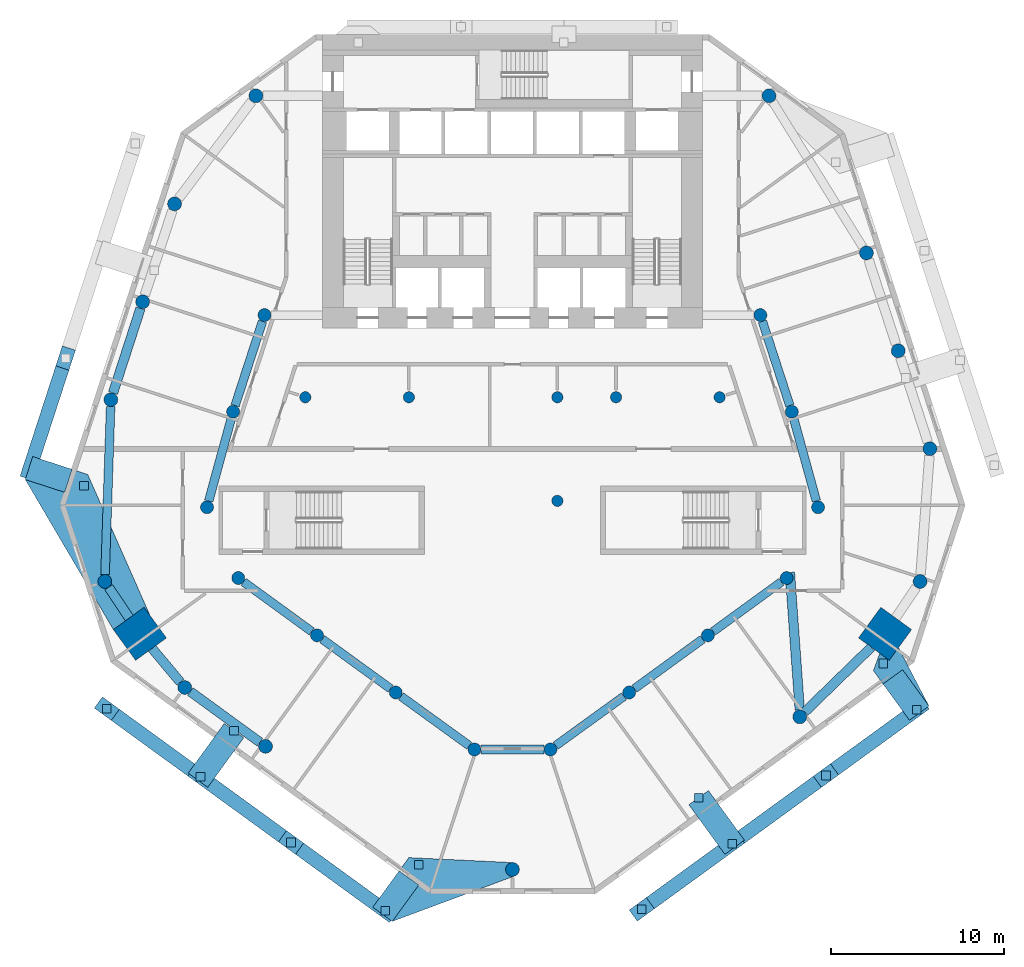
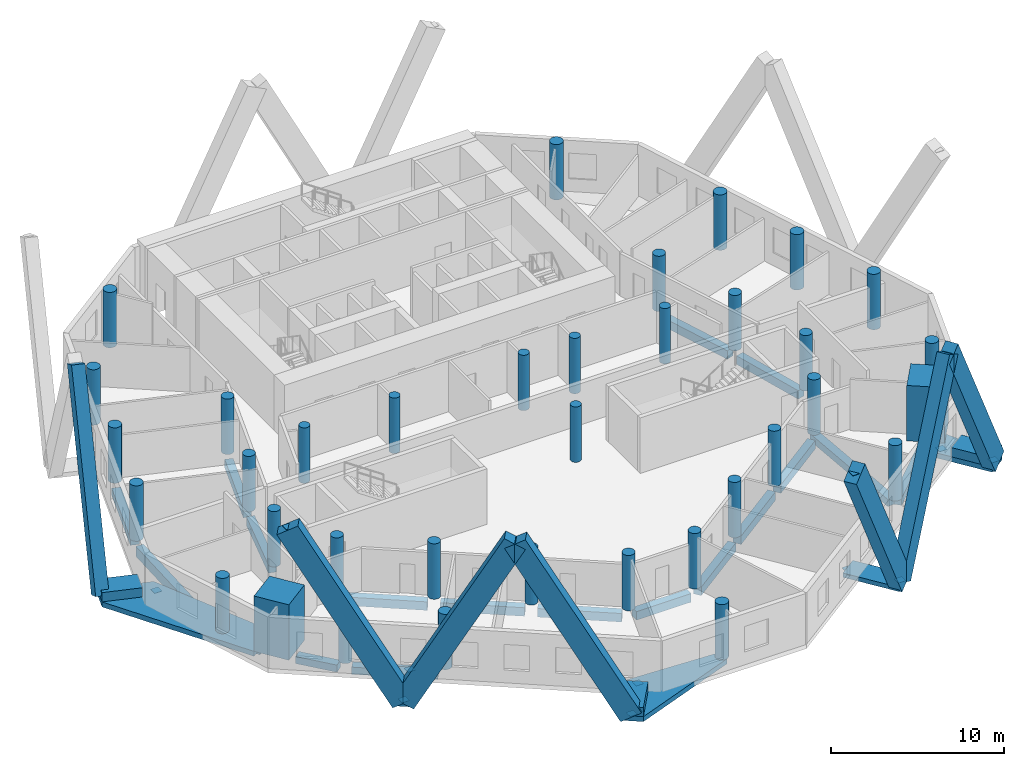
# One storey, part 1 of 10: 36 columns, 18 beams, 15 members, 13 discrete accessories.
"""IFC4 building model written with IfcOpenShell, lengths in metres."""

from ifc_helpers import new_model, si_unit, direction, frame, origin, origin_2d, place, context, subcontext, project, spatial, polyline, rectangle, circle, outline, extrude, material, layer, layer_set, material_profile, profile_set, type_object, element, aggregate, save


model = new_model("IFC4")

# Units and contexts
model_context = context("Model", 3, precision=1e-05, world=origin(), true_north=direction((0.0, 1.0)))
body_context = subcontext(model_context, "Body", "Model", "MODEL_VIEW")
ifc_project = project(units=[si_unit("LENGTHUNIT", "METRE"), si_unit("AREAUNIT", "SQUARE_METRE"), si_unit("VOLUMEUNIT", "CUBIC_METRE"), si_unit("PLANEANGLEUNIT", "RADIAN"), si_unit("MASSUNIT", "GRAM", prefix="KILO")], contexts=[model_context])

# Site, building, storey
site_placement = place(None, origin())
site = spatial("IfcSite", under=ifc_project, at=site_placement, CompositionType="ELEMENT")
building_placement = place(site_placement, origin())
building = spatial("IfcBuilding", under=site, at=building_placement, Name="White Candle Pilgrim Tower", CompositionType="ELEMENT")
storey_placement = place(building_placement, frame((0.0, 0.0, 54.60009765625)))
storey = spatial("IfcBuildingStorey", under=building, at=storey_placement, Name="L10", CompositionType="ELEMENT", Elevation=54.60009765625)

# Columns
ifc_material_1 = material(Name="Concrete C80/95", Category="concrete")
ifc_material_profile_1 = material_profile(ifc_material_1, circle(Radius=0.324951171875, at=origin_2d()), Name="RC-COL D650")
ifc_profile_set_1 = profile_set([ifc_material_profile_1], Name="Concrete C80/95")
column_type_1 = type_object("IfcColumnType", Name="Interior column RC-COL D650 C80/95", PredefinedType="COLUMN", material=ifc_profile_set_1)
for number, where, z_axis, x_axis, name in (
    (1, (58.0, 67.0, 0.0), (0.0, 0.0, 1.0), (1.0, 0.0, 0.0), "L10 column I01"),
    (2, (64.0, 67.0, 0.0), (0.0, 0.0, 1.0), (1.0, 0.0, 0.0), "L10 column I02"),
    (3, (72.60009765625, 61.0, 0.0), (0.0, 0.0, 1.0), (1.0, 0.0, 0.0), "L10 column I03"),
    (4, (72.60009765625, 67.0, 0.0), (0.0, 0.0, 1.0), (1.0, 0.0, 0.0), "L10 column I04"),
    (5, (76.0, 67.0, 0.0), (0.0, 0.0, 1.0), (1.0, 0.0, 0.0), "L10 column I05"),
    (6, (82.0, 67.0, 0.0), (0.0, 0.0, 1.0), (1.0, 0.0, 0.0), "L10 column I06"),
):
    element("IfcColumn", number, at=place(storey_placement, frame(where, z_axis=z_axis, x_axis=x_axis)), inside=storey, type_object=column_type_1, Name=name, PredefinedType="COLUMN", context=body_context, shape_type="SweptSolid", body=[
        extrude(circle(Radius=0.324951171875, at=origin_2d()), origin(), (0.0, 0.0, 1.0), 3.89990234375),
    ])
ifc_material_profile_2 = material_profile(ifc_material_1, rectangle(XDim=2.199951171875, YDim=2.199951171875, at=origin_2d()), Name="RC 2200x2200")
ifc_profile_set_2 = profile_set([ifc_material_profile_2], Name="Concrete C80/95")
column_type_2 = type_object("IfcColumnType", Name="Mega column RC 2200x2200 C80/95", PredefinedType="COLUMN", material=ifc_profile_set_2)
for number, where, z_axis, x_axis, name in (
    (7, (48.419921875, 53.300048828125, 0.0), (0.0, 0.0, 1.0), (-0.809016994375, -0.587785252292, 0.0), "L10 mega column T02"),
    (8, (91.580078125, 53.300048828125, 0.0), (0.0, 0.0, 1.0), (0.809016994375, -0.587785252292, 0.0), "L10 mega column T07"),
):
    element("IfcColumn", number, at=place(storey_placement, frame(where, z_axis=z_axis, x_axis=x_axis)), inside=storey, type_object=column_type_2, Name=name, PredefinedType="COLUMN", context=body_context, shape_type="SweptSolid", body=[
        extrude(rectangle(XDim=2.199951171875, YDim=2.199951171875, at=origin_2d()), origin(), (0.0, 0.0, 1.0), 3.89990234375),
    ])
ifc_material_profile_3 = material_profile(ifc_material_1, circle(Radius=0.39990234375, at=origin_2d()), Name="RC-COL D800")
ifc_profile_set_3 = profile_set([ifc_material_profile_3], Name="Concrete C80/95")
column_type_3 = type_object("IfcColumnType", Name="Perimeter column RC-COL D800 C80/95", PredefinedType="COLUMN", material=ifc_profile_set_3)
for number, where, z_axis, x_axis, name in (
    (9, (46.389892578125, 56.330078125, 0.0), (0.0, 0.0, 1.0), (1.0, 0.0, 0.0), "L10 column T01"),
    (10, (51.02001953125, 50.18994140625, 0.0), (0.0, 0.0, 1.0), (1.0, 0.0, 0.0), "L10 column T03"),
    (11, (55.699951171875, 46.780029296875, 0.0), (0.0, 0.0, 1.0), (1.0, 0.0, 0.0), "L10 column T04"),
    (12, (70.0, 39.64990234375, 0.0), (0.0, 0.0, 1.0), (1.0, 0.0, 0.0), "L10 column T05"),
    (13, (86.639892578125, 48.489990234375, 0.0), (0.0, 0.0, 1.0), (1.0, 0.0, 0.0), "L10 column T06"),
    (14, (93.610107421875, 56.330078125, 0.0), (0.0, 0.0, 1.0), (1.0, 0.0, 0.0), "L10 column T08"),
    (15, (94.179931640625, 64.02001953125, 0.0), (0.0, 0.0, 1.0), (1.0, 0.0, 0.0), "L10 column T09"),
    (16, (92.340087890625, 69.68994140625, 0.0), (0.0, 0.0, 1.0), (1.0, 0.0, 0.0), "L10 column T10"),
    (17, (90.5, 75.360107421875, 0.0), (0.0, 0.0, 1.0), (1.0, 0.0, 0.0), "L10 column T11"),
    (18, (84.860107421875, 84.4599609375, 0.0), (0.0, 0.0, 1.0), (1.0, 0.0, 0.0), "L10 column T12"),
    (19, (55.139892578125, 84.4599609375, 0.0), (0.0, 0.0, 1.0), (1.0, 0.0, 0.0), "L10 column T13"),
    (20, (50.429931640625, 78.199951171875, 0.0), (0.0, 0.0, 1.0), (1.0, 0.0, 0.0), "L10 column T14"),
    (21, (48.580078125, 72.530029296875, 0.0), (0.0, 0.0, 1.0), (1.0, 0.0, 0.0), "L10 column T15"),
    (22, (46.739990234375, 66.860107421875, 0.0), (0.0, 0.0, 1.0), (1.0, 0.0, 0.0), "L10 column T16"),
):
    element("IfcColumn", number, at=place(storey_placement, frame(where, z_axis=z_axis, x_axis=x_axis)), inside=storey, type_object=column_type_3, Name=name, PredefinedType="COLUMN", context=body_context, shape_type="SweptSolid", body=[
        extrude(circle(Radius=0.39990234375, at=origin_2d()), origin(), (0.0, 0.0, 1.0), 3.89990234375),
    ])
ifc_material_profile_4 = material_profile(ifc_material_1, circle(Radius=0.375, at=origin_2d()), Name="RC-COL D750")
ifc_profile_set_4 = profile_set([ifc_material_profile_4], Name="Concrete C80/95")
column_type_4 = type_object("IfcColumnType", Name="Ring column RC-COL D750 C80/95", PredefinedType="COLUMN", material=ifc_profile_set_4)
for number, where, z_axis, x_axis, name in (
    (23, (52.31005859375, 60.6298828125, 0.0), (0.0, 0.0, 1.0), (1.0, 0.0, 0.0), "L10 column R01"),
    (24, (54.1201171875, 56.530029296875, 0.0), (0.0, 0.0, 1.0), (1.0, 0.0, 0.0), "L10 column R02"),
    (25, (58.679931640625, 53.2099609375, 0.0), (0.0, 0.0, 1.0), (1.0, 0.0, 0.0), "L10 column R03"),
    (26, (63.239990234375, 49.89990234375, 0.0), (0.0, 0.0, 1.0), (1.0, 0.0, 0.0), "L10 column R04"),
    (27, (67.800048828125, 46.60009765625, 0.0), (0.0, 0.0, 1.0), (1.0, 0.0, 0.0), "L10 column R05"),
    (28, (72.199951171875, 46.60009765625, 0.0), (0.0, 0.0, 1.0), (1.0, 0.0, 0.0), "L10 column R06"),
    (29, (76.760009765625, 49.89990234375, 0.0), (0.0, 0.0, 1.0), (1.0, 0.0, 0.0), "L10 column R07"),
    (30, (81.320068359375, 53.2099609375, 0.0), (0.0, 0.0, 1.0), (1.0, 0.0, 0.0), "L10 column R08"),
    (31, (85.8798828125, 56.530029296875, 0.0), (0.0, 0.0, 1.0), (1.0, 0.0, 0.0), "L10 column R09"),
    (32, (87.699951171875, 60.6298828125, 0.0), (0.0, 0.0, 1.0), (1.0, 0.0, 0.0), "L10 column R10"),
    (33, (86.179931640625, 66.159912109375, 0.0), (0.0, 0.0, 1.0), (1.0, 0.0, 0.0), "L10 column R11"),
    (34, (84.360107421875, 71.760009765625, 0.0), (0.0, 0.0, 1.0), (1.0, 0.0, 0.0), "L10 column R12"),
    (35, (55.639892578125, 71.760009765625, 0.0), (0.0, 0.0, 1.0), (1.0, 0.0, 0.0), "L10 column R13"),
    (36, (53.820068359375, 66.159912109375, 0.0), (0.0, 0.0, 1.0), (1.0, 0.0, 0.0), "L10 column R14"),
):
    element("IfcColumn", number, at=place(storey_placement, frame(where, z_axis=z_axis, x_axis=x_axis)), inside=storey, type_object=column_type_4, Name=name, PredefinedType="COLUMN", context=body_context, shape_type="SweptSolid", body=[
        extrude(circle(Radius=0.375, at=origin_2d()), origin(), (0.0, 0.0, 1.0), 3.89990234375),
    ])

# Member
ifc_material_2 = material(Name="Concrete C80/95, white", Category="concrete")
ifc_material_profile_5 = material_profile(ifc_material_2, rectangle(XDim=0.800048828125, YDim=1.39990234375, at=origin_2d()), Name="RC-DG 800x1400")
ifc_profile_set_5 = profile_set([ifc_material_profile_5], Name="Concrete C80/95, white")
member_type_1 = type_object("IfcMemberType", Name="Exoskeleton diagonal RC-DG 800x1400 C80/95", PredefinedType="BRACE", material=ifc_profile_set_5)
member_1_placement = place(storey_placement, frame((82.722412109375, 41.139892578125, 0.0), z_axis=(-0.391366412898, -0.284366141635, 0.875196108508), x_axis=(0.587814744098, -0.808995566503, 0.0)))
member_1 = element("IfcMember", 37, at=member_1_placement, inside=storey, type_object=member_type_1, Name="Exoskeleton diagonal EX028", PredefinedType="BRACE", context=body_context, shape_type="SweptSolid", body=[
    extrude(rectangle(XDim=0.800048828125, YDim=1.39990234375, at=origin_2d()), origin(), (0.0, 0.0, 1.0), 13.368408203125),
])

member_2_placement = place(storey_placement, frame((82.722412109375, 41.139892578125, 0.0), z_axis=(0.40291928345, 0.292721302752, 0.867162205092), x_axis=(-0.587763315313, 0.809032932069, 0.0)))
member_2 = element("IfcMember", 38, at=member_2_placement, inside=storey, type_object=member_type_1, Name="Exoskeleton diagonal EX029", PredefinedType="BRACE", context=body_context, shape_type="SweptSolid", body=[
    extrude(rectangle(XDim=0.800048828125, YDim=1.39990234375, at=origin_2d()), origin(), (0.0, 0.0, 1.0), 13.4921875),
])

member_3_placement = place(storey_placement, frame((93.41259765625, 48.906494140625, 0.0), z_axis=(-0.392626373373, -0.285256196454, 0.874341714272), x_axis=(0.587780449219, -0.80902048399, 0.0)))
member_3 = element("IfcMember", 39, at=member_3_placement, inside=storey, type_object=member_type_1, Name="Exoskeleton diagonal EX030", PredefinedType="BRACE", context=body_context, shape_type="SweptSolid", body=[
    extrude(rectangle(XDim=0.800048828125, YDim=1.39990234375, at=origin_2d()), origin(), (0.0, 0.0, 1.0), 13.38134765625),
])

member_4_placement = place(storey_placement, frame((51.9326171875, 45.023193359375, 0.0), z_axis=(-0.402320214902, 0.29228546414, 0.867587259089), x_axis=(-0.587762506298, -0.809033519818, 0.0)))
member_4 = element("IfcMember", 40, at=member_4_placement, inside=storey, type_object=member_type_1, Name="Exoskeleton diagonal EX040", PredefinedType="BRACE", context=body_context, shape_type="SweptSolid", body=[
    extrude(rectangle(XDim=0.800048828125, YDim=1.39990234375, at=origin_2d()), origin(), (0.0, 0.0, 1.0), 13.485595703125),
])

member_5_placement = place(storey_placement, frame((51.9326171875, 45.023193359375, 0.0), z_axis=(0.391981404242, -0.28481353499, 0.874775302015), x_axis=(0.587815475843, 0.808995034817, 0.0)))
member_5 = element("IfcMember", 41, at=member_5_placement, inside=storey, type_object=member_type_1, Name="Exoskeleton diagonal EX041", PredefinedType="BRACE", context=body_context, shape_type="SweptSolid", body=[
    extrude(rectangle(XDim=0.800048828125, YDim=1.39990234375, at=origin_2d()), origin(), (0.0, 0.0, 1.0), 13.374755859375),
])

member_6_placement = place(storey_placement, frame((62.62255859375, 37.25634765625, 0.0), z_axis=(-0.40353047277, 0.293170892955, 0.866726014995), x_axis=(-0.587770612089, -0.809027630903, 0.0)))
member_6 = element("IfcMember", 42, at=member_6_placement, inside=storey, type_object=member_type_1, Name="Exoskeleton diagonal EX042", PredefinedType="BRACE", context=body_context, shape_type="SweptSolid", body=[
    extrude(rectangle(XDim=0.800048828125, YDim=1.39990234375, at=origin_2d()), origin(), (0.0, 0.0, 1.0), 13.4990234375),
])

member_7_placement = place(storey_placement, frame((42.045654296875, 62.884765625, 0.0), z_axis=(0.153762577579, 0.473215871482, 0.867423661606), x_axis=(-0.951053314676, 0.309026847773, 0.0)))
element("IfcMember", 43, at=member_7_placement, inside=storey, type_object=member_type_1, Name="Exoskeleton diagonal EX054", PredefinedType="BRACE", context=body_context, shape_type="SweptSolid", body=[
    extrude(rectangle(XDim=0.800048828125, YDim=1.39990234375, at=origin_2d()), origin(), (0.0, 0.0, 1.0), 13.48828125),
])

ifc_material_3 = material(Name="Concrete C70/85, white", Category="concrete")
ifc_layer_1 = layer(ifc_material_3, 0.300048828125)
ifc_layer_set_1 = layer_set([ifc_layer_1], Name="Node tie strut 3350x1400x300 C70/85")
member_type_2 = type_object("IfcMemberType", Name="Node tie strut 3350x1400x300 C70/85", PredefinedType="STRUT", material=ifc_layer_set_1)
member_8_placement = place(storey_placement, frame((0.0, 0.0, -0.35009765625)))
member_8 = element("IfcMember", 44, at=member_8_placement, inside=storey, type_object=member_type_2, Name="Node tie strut NC020", PredefinedType="STRUT", context=body_context, shape_type="SweptSolid", body=[
    extrude(outline(polyline([(46.883544921875, 53.54345703125), (48.663330078125, 54.83642578125), (49.012451171875, 54.35595703125), (45.400390625, 62.53076171875), (42.21435546875, 63.56591796875), (41.78173828125, 62.234619140625), (46.883544921875, 53.54345703125)])), origin(), (0.0, 0.0, 1.0), 0.35009765625),
])

member_9_placement = place(storey_placement, origin())
element("IfcMember", 45, at=member_9_placement, inside=storey, type_object=member_type_2, Name="Node tie strut NC020", PredefinedType="STRUT", context=body_context, shape_type="SweptSolid", body=[
    extrude(outline(polyline([(44.064453125, 61.492919921875), (44.4970703125, 62.82421875), (42.21435546875, 63.56591796875), (41.78173828125, 62.234619140625), (44.064453125, 61.492919921875)])), origin(), (0.0, 0.0, 1.0), 0.64990234375),
])

ifc_layer_2 = layer(ifc_material_3, 0.300048828125)
ifc_layer_set_2 = layer_set([ifc_layer_2], Name="Node tie strut 3550x1400x300 C70/85")
member_type_3 = type_object("IfcMemberType", Name="Node tie strut 3550x1400x300 C70/85", PredefinedType="STRUT", material=ifc_layer_set_2)
member_10_placement = place(storey_placement, frame((81.826171875, 42.37353515625, -0.30029296875), z_axis=(0.0, 0.0, 1.0), x_axis=(0.809016994375, 0.587785252292, 0.0)))
member_10 = element("IfcMember", 46, at=member_10_placement, inside=storey, type_object=member_type_3, Name="Node tie strut NC015", PredefinedType="STRUT", context=body_context, shape_type="SweptSolid", body=[
    extrude(rectangle(XDim=1.39990234375, YDim=3.550048828125, at=origin_2d()), origin(), (0.0, 0.0, 1.0), 0.300048828125),
])

member_11_placement = place(storey_placement, frame((0.0, 0.0, -0.35009765625)))
member_11 = element("IfcMember", 47, at=member_11_placement, inside=storey, type_object=member_type_3, Name="Node tie strut NC016", PredefinedType="STRUT", context=body_context, shape_type="SweptSolid", body=[
    extrude(outline(polyline([(92.9931640625, 48.292724609375), (94.125732421875, 49.11572265625), (92.356201171875, 52.496826171875), (91.823486328125, 51.763427734375), (91.2666015625, 52.16796875), (90.906494140625, 51.164794921875), (92.9931640625, 48.292724609375)])), origin(), (0.0, 0.0, 1.0), 0.35009765625),
])

member_12_placement = place(storey_placement, origin())
element("IfcMember", 48, at=member_12_placement, inside=storey, type_object=member_type_3, Name="Node tie strut NC016", PredefinedType="STRUT", context=body_context, shape_type="SweptSolid", body=[
    extrude(outline(polyline([(92.9931640625, 48.292724609375), (94.125732421875, 49.11572265625), (92.59765625, 51.21923828125), (91.465087890625, 50.396240234375), (92.9931640625, 48.292724609375)])), origin(), (0.0, 0.0, 1.0), 0.64990234375),
])

member_13_placement = place(storey_placement, frame((52.828857421875, 46.2568359375, -0.30029296875), z_axis=(0.0, 0.0, 1.0), x_axis=(0.809016994375, -0.587785252292, 0.0)))
member_13 = element("IfcMember", 49, at=member_13_placement, inside=storey, type_object=member_type_3, Name="Node tie strut NC017", PredefinedType="STRUT", context=body_context, shape_type="SweptSolid", body=[
    extrude(rectangle(XDim=1.39990234375, YDim=3.550048828125, at=origin_2d()), origin(), (0.0, 0.0, 1.0), 0.300048828125),
])

member_14_placement = place(storey_placement, frame((0.0, 0.0, -0.35009765625)))
member_14 = element("IfcMember", 50, at=member_14_placement, inside=storey, type_object=member_type_3, Name="Node tie strut NC018", PredefinedType="STRUT", context=body_context, shape_type="SweptSolid", body=[
    extrude(outline(polyline([(63.0419921875, 36.642578125), (70.128662109375, 39.271240234375), (70.103515625, 39.263671875), (70.077880859375, 39.2578125), (70.05224609375, 39.25341796875), (70.026123046875, 39.2509765625), (70.0, 39.25), (69.973876953125, 39.2509765625), (69.94775390625, 39.25341796875), (69.922119140625, 39.2578125), (69.896484375, 39.263671875), (69.871337890625, 39.271240234375), (69.846923828125, 39.280517578125), (69.822998046875, 39.291259765625), (69.800048828125, 39.3037109375), (69.77783203125, 39.3173828125), (69.756591796875, 39.332763671875), (69.736328125, 39.349365234375), (69.71728515625, 39.3671875), (69.69921875, 39.38623046875), (69.6826171875, 39.406494140625), (69.66748046875, 39.427734375), (69.653564453125, 39.449951171875), (69.641357421875, 39.47314453125), (69.63037109375, 39.496826171875), (69.62109375, 39.521484375), (69.613525390625, 39.54638671875), (69.607666015625, 39.572021484375), (69.603515625, 39.597900390625), (69.600830078125, 39.623779296875), (69.60009765625, 39.64990234375), (69.600830078125, 39.67626953125), (69.603515625, 39.7021484375), (69.607666015625, 39.72802734375), (69.613525390625, 39.75341796875), (69.62109375, 39.778564453125), (69.63037109375, 39.802978515625), (69.641357421875, 39.826904296875), (69.653564453125, 39.85009765625), (69.66748046875, 39.872314453125), (69.6826171875, 39.8935546875), (69.69921875, 39.913818359375), (69.71728515625, 39.932861328125), (69.736328125, 39.95068359375), (69.756591796875, 39.96728515625), (69.77783203125, 39.982666015625), (69.800048828125, 39.996337890625), (69.822998046875, 40.0087890625), (69.846923828125, 40.01953125), (69.871337890625, 40.02880859375), (69.896484375, 40.036376953125), (69.922119140625, 40.042236328125), (69.94775390625, 40.046630859375), (69.973876953125, 40.049072265625), (70.0, 40.050048828125), (70.026123046875, 40.049072265625), (63.995849609375, 40.337646484375), (61.9091796875, 37.465576171875), (63.0419921875, 36.642578125)])), origin(), (0.0, 0.0, 1.0), 0.35009765625),
])

member_15_placement = place(storey_placement, origin())
element("IfcMember", 51, at=member_15_placement, inside=storey, type_object=member_type_3, Name="Node tie strut NC018", PredefinedType="STRUT", context=body_context, shape_type="SweptSolid", body=[
    extrude(outline(polyline([(63.0419921875, 36.642578125), (64.570068359375, 38.74609375), (63.4375, 39.569091796875), (61.9091796875, 37.465576171875), (63.0419921875, 36.642578125)])), origin(), (0.0, 0.0, 1.0), 0.64990234375),
])

# Beams
ifc_material_4 = material(Name="Concrete C50/60", Category="concrete")
ifc_material_profile_6 = material_profile(ifc_material_4, rectangle(XDim=0.5, YDim=0.60009765625, at=origin_2d()), Name="RC-BM 500x600")
ifc_profile_set_6 = profile_set([ifc_material_profile_6], Name="Concrete C50/60")
beam_type_1 = type_object("IfcBeamType", Name="Ring beam RC-BM 500x600 C50/60", PredefinedType="BEAM", material=ifc_profile_set_6)
beam_1_placement = place(storey_placement, frame((54.423095703125, 56.309326171875, -0.60009765625), z_axis=(0.808431607518, -0.58859012561, 0.0), x_axis=(0.58859012561, 0.808431607518, 0.0)))
element("IfcBeam", 52, at=beam_1_placement, inside=storey, type_object=beam_type_1, Name="L10 ring beam R01", PredefinedType="BEAM", context=body_context, shape_type="SweptSolid", body=[
    extrude(rectangle(XDim=0.5, YDim=0.60009765625, at=origin_2d()), origin(), (0.0, 0.0, 1.0), 4.890869140625),
])
beam_2_placement = place(storey_placement, frame((58.9833984375, 52.98974609375, -0.60009765625), z_axis=(0.809276033964, -0.587428549572, 0.0), x_axis=(0.587428549572, 0.809276033964, 0.0)))
element("IfcBeam", 53, at=beam_2_placement, inside=storey, type_object=beam_type_1, Name="L10 ring beam R02", PredefinedType="BEAM", context=body_context, shape_type="SweptSolid", body=[
    extrude(rectangle(XDim=0.5, YDim=0.60009765625, at=origin_2d()), origin(), (0.0, 0.0, 1.0), 4.885009765625),
])
beam_3_placement = place(storey_placement, frame((63.543701171875, 49.680419921875, -0.60009765625), z_axis=(0.810079795278, -0.586319644291, 0.0), x_axis=(0.586319644291, 0.810079795278, 0.0)))
element("IfcBeam", 54, at=beam_3_placement, inside=storey, type_object=beam_type_1, Name="L10 ring beam R03", PredefinedType="BEAM", context=body_context, shape_type="SweptSolid", body=[
    extrude(rectangle(XDim=0.5, YDim=0.60009765625, at=origin_2d()), origin(), (0.0, 0.0, 1.0), 4.87939453125),
])
beam_4_placement = place(storey_placement, frame((68.175048828125, 46.60009765625, -0.60009765625), z_axis=(1.0, 0.0, 0.0), x_axis=(0.0, 1.0, 0.0)))
element("IfcBeam", 55, at=beam_4_placement, inside=storey, type_object=beam_type_1, Name="L10 ring beam R04", PredefinedType="BEAM", context=body_context, shape_type="SweptSolid", body=[
    extrude(rectangle(XDim=0.5, YDim=0.60009765625, at=origin_2d()), origin(), (0.0, 0.0, 1.0), 3.64990234375),
])
beam_5_placement = place(storey_placement, frame((72.503662109375, 46.819580078125, -0.60009765625), z_axis=(0.810079795278, 0.586319644291, 0.0), x_axis=(-0.586319644291, 0.810079795278, 0.0)))
element("IfcBeam", 56, at=beam_5_placement, inside=storey, type_object=beam_type_1, Name="L10 ring beam R05", PredefinedType="BEAM", context=body_context, shape_type="SweptSolid", body=[
    extrude(rectangle(XDim=0.5, YDim=0.60009765625, at=origin_2d()), origin(), (0.0, 0.0, 1.0), 4.87939453125),
])
beam_6_placement = place(storey_placement, frame((77.063232421875, 50.1201171875, -0.60009765625), z_axis=(0.809276033964, 0.587428549572, 0.0), x_axis=(-0.587428549572, 0.809276033964, 0.0)))
element("IfcBeam", 57, at=beam_6_placement, inside=storey, type_object=beam_type_1, Name="L10 ring beam R06", PredefinedType="BEAM", context=body_context, shape_type="SweptSolid", body=[
    extrude(rectangle(XDim=0.5, YDim=0.60009765625, at=origin_2d()), origin(), (0.0, 0.0, 1.0), 4.885009765625),
])
beam_7_placement = place(storey_placement, frame((81.623046875, 53.4306640625, -0.60009765625), z_axis=(0.808431607518, 0.58859012561, 0.0), x_axis=(-0.58859012561, 0.808431607518, 0.0)))
element("IfcBeam", 58, at=beam_7_placement, inside=storey, type_object=beam_type_1, Name="L10 ring beam R07", PredefinedType="BEAM", context=body_context, shape_type="SweptSolid", body=[
    extrude(rectangle(XDim=0.5, YDim=0.60009765625, at=origin_2d()), origin(), (0.0, 0.0, 1.0), 4.890869140625),
])
beam_8_placement = place(storey_placement, frame((87.6005859375, 60.991455078125, -0.60009765625), z_axis=(-0.265031278819, 0.964239815216, 0.0), x_axis=(-0.964239815216, -0.265031278819, 0.0)))
element("IfcBeam", 59, at=beam_8_placement, inside=storey, type_object=beam_type_1, Name="L10 ring beam R08", PredefinedType="BEAM", context=body_context, shape_type="SweptSolid", body=[
    extrude(rectangle(XDim=0.5, YDim=0.60009765625, at=origin_2d()), origin(), (0.0, 0.0, 1.0), 4.9853515625),
])
for number, where, z_axis, x_axis, name in (
    (60, (86.064208984375, 66.5166015625, -0.60009765625), (-0.309106483996, 0.9510274347, 0.0), (-0.9510274347, -0.309106483996, 0.0), "L10 ring beam R09"),
    (61, (55.524169921875, 71.403564453125, -0.60009765625), (-0.309106483996, -0.9510274347, 0.0), (0.9510274347, -0.309106483996, 0.0), "L10 ring beam R12"),
):
    element("IfcBeam", number, at=place(storey_placement, frame(where, z_axis=z_axis, x_axis=x_axis)), inside=storey, type_object=beam_type_1, Name=name, PredefinedType="BEAM", context=body_context, shape_type="SweptSolid", body=[
        extrude(rectangle(XDim=0.5, YDim=0.60009765625, at=origin_2d()), origin(), (0.0, 0.0, 1.0), 5.138671875),
    ])
beam_9_placement = place(storey_placement, frame((53.72119140625, 65.79833984375, -0.60009765625), z_axis=(-0.263415907103, -0.964682362172, 0.0), x_axis=(0.964682362172, -0.263415907103, 0.0)))
element("IfcBeam", 62, at=beam_9_placement, inside=storey, type_object=beam_type_1, Name="L10 ring beam R13", PredefinedType="BEAM", context=body_context, shape_type="SweptSolid", body=[
    extrude(rectangle(XDim=0.5, YDim=0.60009765625, at=origin_2d()), origin(), (0.0, 0.0, 1.0), 4.982666015625),
])
ifc_material_profile_7 = material_profile(ifc_material_4, rectangle(XDim=0.5, YDim=0.699951171875, at=origin_2d()), Name="RC-BM 500x700")
ifc_profile_set_7 = profile_set([ifc_material_profile_7], Name="Concrete C50/60")
beam_type_2 = type_object("IfcBeamType", Name="Spandrel beam RC-BM 500x700 C50/60", PredefinedType="BEAM", material=ifc_profile_set_7)
beam_10_placement = place(storey_placement, frame((46.726806640625, 66.46044921875, -0.650146484375), z_axis=(-0.033224659514, -0.999447908598, 0.0), x_axis=(0.999447908598, -0.033224659514, 0.0)))
element("IfcBeam", 63, at=beam_10_placement, inside=storey, type_object=beam_type_2, Name="L10 spandrel beam T16", PredefinedType="BEAM", context=body_context, shape_type="SweptSolid", body=[
    extrude(rectangle(XDim=0.5, YDim=0.699951171875, at=origin_2d()), origin(), (0.0, 0.0, 1.0), 9.736328125),
])
ifc_material_profile_8 = material_profile(ifc_material_4, rectangle(XDim=0.550048828125, YDim=0.5, at=origin_2d()), Name="RC-BM 550x500")
ifc_profile_set_8 = profile_set([ifc_material_profile_8], Name="Concrete C50/60")
beam_type_3 = type_object("IfcBeamType", Name="Spandrel beam RC-BM 550x500 C50/60", PredefinedType="BEAM", material=ifc_profile_set_8)
beam_11_placement = place(storey_placement, frame((46.612548828125, 55.997802734375, -0.550048828125), z_axis=(0.556641005169, -0.830753147069, 0.0), x_axis=(0.830753147069, 0.556641005169, 0.0)))
element("IfcBeam", 64, at=beam_11_placement, inside=storey, type_object=beam_type_3, Name="L10 spandrel beam T01", PredefinedType="BEAM", context=body_context, shape_type="SweptSolid", body=[
    extrude(rectangle(XDim=0.550048828125, YDim=0.5, at=origin_2d()), origin(), (0.0, 0.0, 1.0), 2.146484375),
])
beam_12_placement = place(storey_placement, frame((49.127197265625, 52.4541015625, -0.550048828125), z_axis=(0.641388324436, -0.767216408373, 0.0), x_axis=(0.767216408373, 0.641388324436, 0.0)))
element("IfcBeam", 65, at=beam_12_placement, inside=storey, type_object=beam_type_3, Name="L10 spandrel beam T02", PredefinedType="BEAM", context=body_context, shape_type="SweptSolid", body=[
    extrude(rectangle(XDim=0.550048828125, YDim=0.5, at=origin_2d()), origin(), (0.0, 0.0, 1.0), 2.551513671875),
])
beam_13_placement = place(storey_placement, frame((51.343017578125, 49.95458984375, -0.550048828125), z_axis=(0.808217539001, -0.588884037525, 0.0), x_axis=(0.588884037525, 0.808217539001, 0.0)))
element("IfcBeam", 66, at=beam_13_placement, inside=storey, type_object=beam_type_3, Name="L10 spandrel beam T03", PredefinedType="BEAM", context=body_context, shape_type="SweptSolid", body=[
    extrude(rectangle(XDim=0.550048828125, YDim=0.5, at=origin_2d()), origin(), (0.0, 0.0, 1.0), 4.9912109375),
])
beam_14_placement = place(storey_placement, frame((86.639892578125, 48.889892578125, -0.550048828125), z_axis=(-0.071694624988, 0.997426629255, 0.0), x_axis=(-0.997426629255, -0.071694624988, 0.0)))
element("IfcBeam", 67, at=beam_14_placement, inside=storey, type_object=beam_type_3, Name="L10 spandrel beam T04", PredefinedType="BEAM", context=body_context, shape_type="SweptSolid", body=[
    extrude(rectangle(XDim=0.550048828125, YDim=0.5, at=origin_2d()), origin(), (0.0, 0.0, 1.0), 7.9853515625),
])
beam_15_placement = place(storey_placement, frame((86.926513671875, 48.768798828125, -0.550048828125), z_axis=(0.716462232914, 0.697625880259, 0.0), x_axis=(-0.697625880259, 0.716462232914, 0.0)))
element("IfcBeam", 68, at=beam_15_placement, inside=storey, type_object=beam_type_3, Name="L10 spandrel beam T05", PredefinedType="BEAM", context=body_context, shape_type="SweptSolid", body=[
    extrude(rectangle(XDim=0.550048828125, YDim=0.5, at=origin_2d()), origin(), (0.0, 0.0, 1.0), 5.37890625),
])
beam_16_placement = place(storey_placement, frame((48.45654296875, 72.149658203125, -0.550048828125), z_axis=(-0.308682827488, -0.951165028801, 0.0), x_axis=(0.951165028801, -0.308682827488, 0.0)))
element("IfcBeam", 69, at=beam_16_placement, inside=storey, type_object=beam_type_3, Name="L10 spandrel beam T15", PredefinedType="BEAM", context=body_context, shape_type="SweptSolid", body=[
    extrude(rectangle(XDim=0.550048828125, YDim=0.5, at=origin_2d()), origin(), (0.0, 0.0, 1.0), 5.161376953125),
])

# Discrete accessory
ifc_material_5 = material(Name="Steel S355", Category="steel")
ifc_layer_3 = layer(ifc_material_5, 0.02490234375)
ifc_layer_set_3 = layer_set([ifc_layer_3], Name="Gusset plate 500x500x25 S355")
discrete_accessory_type = type_object("IfcDiscreteAccessoryType", Name="Gusset plate 500x500x25 S355", PredefinedType="BRACKET", material=ifc_layer_set_3)
discrete_accessory_1_placement = place(storey_placement, frame((82.722412109375, 41.139892578125, -0.012451171875), z_axis=(0.0, 0.0, 1.0), x_axis=(1.0, 0.0, 0.0)))
discrete_accessory_1 = element("IfcDiscreteAccessory", 70, at=discrete_accessory_1_placement, type_object=discrete_accessory_type, Name="Gusset plate 0029", PredefinedType="BRACKET", context=body_context, shape_type="SweptSolid", body=[
    extrude(rectangle(XDim=0.5, YDim=0.5, at=origin_2d()), origin(), (0.0, 0.0, 1.0), 0.02490234375),
])

placement = place(building_placement, frame((0.0, 0.0, 66.300048828125)))
discrete_accessory_2_placement = place(placement, frame((77.490478515625, 37.33837890625, -0.012451171875), z_axis=(0.0, 0.0, 1.0), x_axis=(1.0, 0.0, 0.0)))
discrete_accessory_2 = element("IfcDiscreteAccessory", 71, at=discrete_accessory_2_placement, type_object=discrete_accessory_type, Name="Gusset plate 0030", PredefinedType="BRACKET", context=body_context, shape_type="SweptSolid", body=[
    extrude(rectangle(XDim=0.5, YDim=0.5, at=origin_2d()), origin(), (0.0, 0.0, 1.0), 0.02490234375),
])

aggregate(member_1, [discrete_accessory_1, discrete_accessory_2])

discrete_accessory_3_placement = place(placement, frame((88.15869140625, 45.08935546875, -0.012451171875), z_axis=(0.0, 0.0, 1.0), x_axis=(1.0, 0.0, 0.0)))
discrete_accessory_3 = element("IfcDiscreteAccessory", 72, at=discrete_accessory_3_placement, type_object=discrete_accessory_type, Name="Gusset plate 0031", PredefinedType="BRACKET", context=body_context, shape_type="SweptSolid", body=[
    extrude(rectangle(XDim=0.5, YDim=0.5, at=origin_2d()), origin(), (0.0, 0.0, 1.0), 0.02490234375),
])

aggregate(member_2, [discrete_accessory_3])

discrete_accessory_4_placement = place(storey_placement, frame((93.41259765625, 48.906494140625, -0.012451171875), z_axis=(0.0, 0.0, 1.0), x_axis=(1.0, 0.0, 0.0)))
discrete_accessory_4 = element("IfcDiscreteAccessory", 73, at=discrete_accessory_4_placement, type_object=discrete_accessory_type, Name="Gusset plate 0032", PredefinedType="BRACKET", context=body_context, shape_type="SweptSolid", body=[
    extrude(rectangle(XDim=0.5, YDim=0.5, at=origin_2d()), origin(), (0.0, 0.0, 1.0), 0.02490234375),
])

aggregate(member_3, [discrete_accessory_4])

discrete_accessory_5_placement = place(storey_placement, frame((51.9326171875, 45.023193359375, -0.012451171875), z_axis=(0.0, 0.0, 1.0), x_axis=(1.0, 0.0, 0.0)))
discrete_accessory_5 = element("IfcDiscreteAccessory", 74, at=discrete_accessory_5_placement, type_object=discrete_accessory_type, Name="Gusset plate 0045", PredefinedType="BRACKET", context=body_context, shape_type="SweptSolid", body=[
    extrude(rectangle(XDim=0.5, YDim=0.5, at=origin_2d()), origin(), (0.0, 0.0, 1.0), 0.02490234375),
])

discrete_accessory_6_placement = place(placement, frame((46.507080078125, 48.96484375, -0.012451171875), z_axis=(0.0, 0.0, 1.0), x_axis=(1.0, 0.0, 0.0)))
discrete_accessory_6 = element("IfcDiscreteAccessory", 75, at=discrete_accessory_6_placement, type_object=discrete_accessory_type, Name="Gusset plate 0046", PredefinedType="BRACKET", context=body_context, shape_type="SweptSolid", body=[
    extrude(rectangle(XDim=0.5, YDim=0.5, at=origin_2d()), origin(), (0.0, 0.0, 1.0), 0.02490234375),
])

aggregate(member_4, [discrete_accessory_5, discrete_accessory_6])

discrete_accessory_7_placement = place(placement, frame((57.17529296875, 41.2138671875, -0.012451171875), z_axis=(0.0, 0.0, 1.0), x_axis=(1.0, 0.0, 0.0)))
discrete_accessory_7 = element("IfcDiscreteAccessory", 76, at=discrete_accessory_7_placement, type_object=discrete_accessory_type, Name="Gusset plate 0047", PredefinedType="BRACKET", context=body_context, shape_type="SweptSolid", body=[
    extrude(rectangle(XDim=0.5, YDim=0.5, at=origin_2d()), origin(), (0.0, 0.0, 1.0), 0.02490234375),
])

aggregate(member_5, [discrete_accessory_7])

discrete_accessory_8_placement = place(storey_placement, frame((62.62255859375, 37.25634765625, -0.012451171875), z_axis=(0.0, 0.0, 1.0), x_axis=(1.0, 0.0, 0.0)))
discrete_accessory_8 = element("IfcDiscreteAccessory", 77, at=discrete_accessory_8_placement, type_object=discrete_accessory_type, Name="Gusset plate 0048", PredefinedType="BRACKET", context=body_context, shape_type="SweptSolid", body=[
    extrude(rectangle(XDim=0.5, YDim=0.5, at=origin_2d()), origin(), (0.0, 0.0, 1.0), 0.02490234375),
])

aggregate(member_6, [discrete_accessory_8])

discrete_accessory_9_placement = place(storey_placement, frame((80.78271484375, 43.8095703125, -0.16259765625), z_axis=(0.0, 0.0, 1.0), x_axis=(1.0, 0.0, 0.0)))
discrete_accessory_9 = element("IfcDiscreteAccessory", 78, at=discrete_accessory_9_placement, type_object=discrete_accessory_type, Name="Gusset plate 0396", PredefinedType="BRACKET", context=body_context, shape_type="SweptSolid", body=[
    extrude(rectangle(XDim=0.5, YDim=0.5, at=origin_2d()), origin(), (0.0, 0.0, 1.0), 0.02490234375),
])

aggregate(member_10, [discrete_accessory_9])

discrete_accessory_10_placement = place(storey_placement, frame((91.472900390625, 51.576416015625, -0.16259765625), z_axis=(0.0, 0.0, 1.0), x_axis=(1.0, 0.0, 0.0)))
discrete_accessory_10 = element("IfcDiscreteAccessory", 79, at=discrete_accessory_10_placement, type_object=discrete_accessory_type, Name="Gusset plate 0397", PredefinedType="BRACKET", context=body_context, shape_type="SweptSolid", body=[
    extrude(rectangle(XDim=0.5, YDim=0.5, at=origin_2d()), origin(), (0.0, 0.0, 1.0), 0.02490234375),
])

aggregate(member_11, [discrete_accessory_10])

discrete_accessory_11_placement = place(storey_placement, frame((53.8720703125, 47.69287109375, -0.16259765625), z_axis=(0.0, 0.0, 1.0), x_axis=(1.0, 0.0, 0.0)))
discrete_accessory_11 = element("IfcDiscreteAccessory", 80, at=discrete_accessory_11_placement, type_object=discrete_accessory_type, Name="Gusset plate 0398", PredefinedType="BRACKET", context=body_context, shape_type="SweptSolid", body=[
    extrude(rectangle(XDim=0.5, YDim=0.5, at=origin_2d()), origin(), (0.0, 0.0, 1.0), 0.02490234375),
])

aggregate(member_13, [discrete_accessory_11])

discrete_accessory_12_placement = place(storey_placement, frame((64.562255859375, 39.92626953125, -0.16259765625), z_axis=(0.0, 0.0, 1.0), x_axis=(1.0, 0.0, 0.0)))
discrete_accessory_12 = element("IfcDiscreteAccessory", 81, at=discrete_accessory_12_placement, type_object=discrete_accessory_type, Name="Gusset plate 0399", PredefinedType="BRACKET", context=body_context, shape_type="SweptSolid", body=[
    extrude(rectangle(XDim=0.5, YDim=0.5, at=origin_2d()), origin(), (0.0, 0.0, 1.0), 0.02490234375),
])

aggregate(member_14, [discrete_accessory_12])

discrete_accessory_13_placement = place(storey_placement, frame((45.18408203125, 61.864990234375, -0.16259765625), z_axis=(0.0, 0.0, 1.0), x_axis=(1.0, 0.0, 0.0)))
discrete_accessory_13 = element("IfcDiscreteAccessory", 82, at=discrete_accessory_13_placement, type_object=discrete_accessory_type, Name="Gusset plate 0401", PredefinedType="BRACKET", context=body_context, shape_type="SweptSolid", body=[
    extrude(rectangle(XDim=0.5, YDim=0.5, at=origin_2d()), origin(), (0.0, 0.0, 1.0), 0.02490234375),
])

aggregate(member_8, [discrete_accessory_13])

save(model, "model.ifc")
